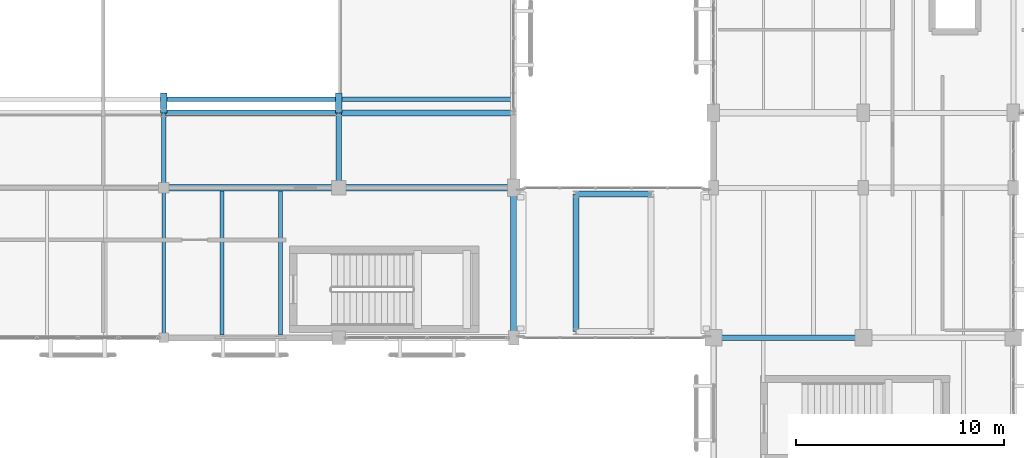
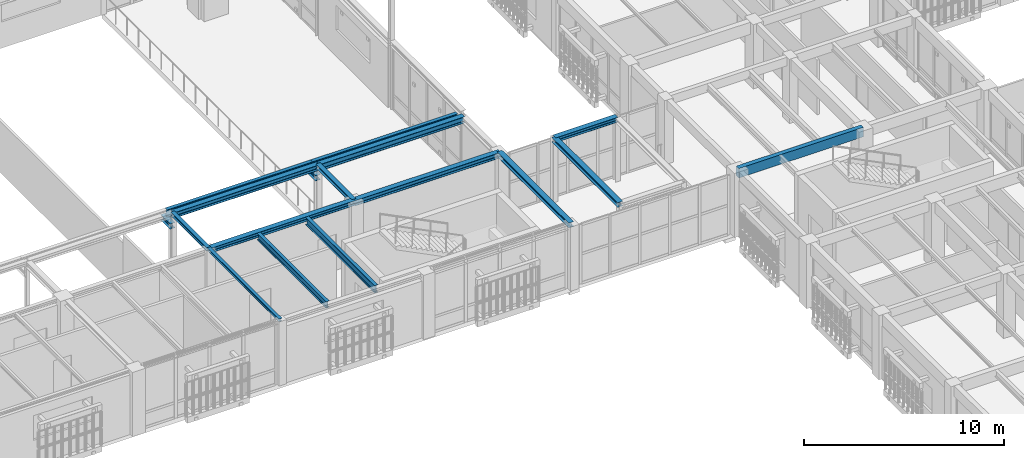
# One storey, part 79 of 170: 17 beams.
"""IFC4 building model written with IfcOpenShell, lengths in metres."""

from ifc_helpers import new_model, si_unit, direction, frame, origin, origin_2d, place, context, subcontext, project, spatial, rectangle, i_section, extrude, material, material_profile, profile_set, type_object, element, save


model = new_model("IFC4")

# Units and contexts
model_context = context("Model", 3, precision=1e-05, world=origin(), true_north=direction((0.0, 1.0)))
body_context = subcontext(model_context, "Body", "Model", "MODEL_VIEW")
ifc_project = project(units=[si_unit("LENGTHUNIT", "METRE"), si_unit("AREAUNIT", "SQUARE_METRE"), si_unit("VOLUMEUNIT", "CUBIC_METRE"), si_unit("PLANEANGLEUNIT", "RADIAN"), si_unit("MASSUNIT", "GRAM", prefix="KILO")], contexts=[model_context])

# Site, building, storey
site_placement = place(None, origin())
site = spatial("IfcSite", under=ifc_project, at=site_placement, CompositionType="ELEMENT")
building_placement = place(site_placement, origin())
building = spatial("IfcBuilding", under=site, at=building_placement, Name="Mazaris Harbour Polytechnic", CompositionType="ELEMENT")
storey_placement = place(building_placement, frame((0.0, 0.0, 5.39990234375)))
storey = spatial("IfcBuildingStorey", under=building, at=storey_placement, Name="L01", CompositionType="ELEMENT", Elevation=5.39990234375)

# Beams
ifc_material_1 = material(Name="Steel S355", Category="steel")
ifc_material_profile_1 = material_profile(ifc_material_1, i_section(OverallWidth=0.2099609375, OverallDepth=0.550048828125, WebThickness=0.010986328125, FlangeThickness=0.01708984375, FilletRadius=0.02392578125, at=origin_2d()), Name="IPE 550")
ifc_profile_set_1 = profile_set([ifc_material_profile_1], Name="Steel S355")
beam_type_1 = type_object("IfcBeamType", Name="Crane Runway IPE550", PredefinedType="USERDEFINED", material=ifc_profile_set_1)
beam_1_placement = place(storey_placement, frame((96.0, 87.050048828125, 3.400146484375), z_axis=(1.0, 0.0, 0.0), x_axis=(0.0, 1.0, 0.0)))
element("IfcBeam", 1, at=beam_1_placement, inside=storey, type_object=beam_type_1, Name="V1 10t Bridge Crane Runway 6", ObjectType="CRANE RUNWAY", PredefinedType="USERDEFINED", context=body_context, shape_type="SweptSolid", body=[
    extrude(i_section(OverallWidth=0.2099609375, OverallDepth=0.550048828125, WebThickness=0.010986328125, FlangeThickness=0.01708984375, FilletRadius=0.02392578125, at=origin_2d()), origin(), (0.0, 0.0, 1.0), 8.39990234375),
])
beam_2_placement = place(storey_placement, frame((104.39990234375, 87.050048828125, 3.400146484375), z_axis=(1.0, 0.0, 0.0), x_axis=(0.0, 1.0, 0.0)))
element("IfcBeam", 2, at=beam_2_placement, inside=storey, type_object=beam_type_1, Name="V1 10t Bridge Crane Runway 7", ObjectType="CRANE RUNWAY", PredefinedType="USERDEFINED", context=body_context, shape_type="SweptSolid", body=[
    extrude(i_section(OverallWidth=0.2099609375, OverallDepth=0.550048828125, WebThickness=0.010986328125, FlangeThickness=0.01708984375, FilletRadius=0.02392578125, at=origin_2d()), origin(), (0.0, 0.0, 1.0), 8.400146484375),
])
ifc_material_2 = material(Name="Glulam GL32h", Category="wood")
ifc_material_profile_2 = material_profile(ifc_material_2, rectangle(XDim=0.260009765625, YDim=0.580078125, at=origin_2d()), Name="RECT260x580")
ifc_profile_set_2 = profile_set([ifc_material_profile_2], Name="Glulam GL32h")
beam_type_2 = type_object("IfcBeamType", Name="Glulam Girder 260x580", PredefinedType="BEAM", material=ifc_profile_set_2)
beam_3_placement = place(storey_placement, frame((122.39990234375, 75.60009765625, 3.630126953125), z_axis=(1.0, 0.0, 0.0), x_axis=(0.0, 1.0, 0.0)))
element("IfcBeam", 3, at=beam_3_placement, inside=storey, type_object=beam_type_2, Name="V5 L01 Girder 2931", PredefinedType="BEAM", context=body_context, shape_type="SweptSolid", body=[
    extrude(rectangle(XDim=0.260009765625, YDim=0.580078125, at=origin_2d()), origin(), (0.0, 0.0, 1.0), 7.2001953125),
])
ifc_material_3 = material(Name="Steel S355", Category="steel")
ifc_material_profile_3 = material_profile(ifc_material_3, i_section(OverallWidth=0.179931640625, OverallDepth=0.1708984375, WebThickness=0.006103515625, FlangeThickness=0.009521484375, FilletRadius=0.014892578125, at=origin_2d()), Name="HEA 180")
ifc_profile_set_3 = profile_set([ifc_material_profile_3], Name="Steel S355")
beam_type_3 = type_object("IfcBeamType", Name="Steel Beam HEA180", PredefinedType="LINTEL", material=ifc_profile_set_3)
beam_4_placement = place(storey_placement, frame((96.0, 75.60009765625, 3.834716796875), z_axis=(0.0, 1.0, 0.0), x_axis=(-1.0, 0.0, 0.0)))
element("IfcBeam", 4, at=beam_4_placement, inside=storey, type_object=beam_type_3, Name="V1 L01 Tie Girder 264", PredefinedType="LINTEL", context=body_context, shape_type="SweptSolid", body=[
    extrude(i_section(OverallWidth=0.179931640625, OverallDepth=0.1708984375, WebThickness=0.006103515625, FlangeThickness=0.009521484375, FilletRadius=0.014892578125, at=origin_2d()), origin(), (0.0, 0.0, 1.0), 7.199951171875),
])
ifc_material_4 = material(Name="Steel S355", Category="steel")
ifc_material_profile_4 = material_profile(ifc_material_4, i_section(OverallWidth=0.219970703125, OverallDepth=0.2099609375, WebThickness=0.007080078125, FlangeThickness=0.010986328125, FilletRadius=0.01806640625, at=origin_2d()), Name="HEA 220")
ifc_profile_set_4 = profile_set([ifc_material_profile_4], Name="Steel S355")
beam_type_4 = type_object("IfcBeamType", Name="Steel Beam HEA220", PredefinedType="LINTEL", material=ifc_profile_set_4)
beam_5_placement = place(storey_placement, frame((96.0, 82.800048828125, 3.815185546875), z_axis=(0.0, 1.0, 0.0), x_axis=(-1.0, 0.0, 0.0)))
element("IfcBeam", 5, at=beam_5_placement, inside=storey, type_object=beam_type_4, Name="V1 L01 Tie Girder 265", PredefinedType="LINTEL", context=body_context, shape_type="SweptSolid", body=[
    extrude(i_section(OverallWidth=0.219970703125, OverallDepth=0.2099609375, WebThickness=0.007080078125, FlangeThickness=0.010986328125, FilletRadius=0.01806640625, at=origin_2d()), origin(), (0.0, 0.0, 1.0), 3.599853515625),
])
ifc_material_5 = material(Name="Steel S355", Category="steel")
ifc_material_profile_5 = material_profile(ifc_material_5, i_section(OverallWidth=0.260009765625, OverallDepth=0.25, WebThickness=0.007568359375, FlangeThickness=0.012451171875, FilletRadius=0.02392578125, at=origin_2d()), Name="HEA 260")
ifc_profile_set_5 = profile_set([ifc_material_profile_5], Name="Steel S355")
beam_type_5 = type_object("IfcBeamType", Name="Steel Beam HEA260", PredefinedType="SPANDREL", material=ifc_profile_set_5)
beam_6_placement = place(storey_placement, frame((104.39990234375, 82.800048828125, 3.795166015625), z_axis=(0.0, 1.0, 0.0), x_axis=(-1.0, 0.0, 0.0)))
element("IfcBeam", 6, at=beam_6_placement, inside=storey, type_object=beam_type_5, Name="V1 L01 Tie Girder 266", PredefinedType="SPANDREL", context=body_context, shape_type="SweptSolid", body=[
    extrude(i_section(OverallWidth=0.260009765625, OverallDepth=0.25, WebThickness=0.007568359375, FlangeThickness=0.012451171875, FilletRadius=0.02392578125, at=origin_2d()), origin(), (0.0, 0.0, 1.0), 3.599853515625),
])
ifc_material_6 = material(Name="Steel S355", Category="steel")
ifc_material_profile_6 = material_profile(ifc_material_6, i_section(OverallWidth=0.300048828125, OverallDepth=0.2900390625, WebThickness=0.008544921875, FlangeThickness=0.013916015625, FilletRadius=0.027099609375, at=origin_2d()), Name="HEA 300")
ifc_profile_set_6 = profile_set([ifc_material_profile_6], Name="Steel S355")
beam_type_6 = type_object("IfcBeamType", Name="Steel Beam HEA300", PredefinedType="SPANDREL", material=ifc_profile_set_6)
beam_7_placement = place(storey_placement, frame((96.0, 82.800048828125, 3.775146484375), z_axis=(1.0, 0.0, 0.0), x_axis=(0.0, 1.0, 0.0)))
element("IfcBeam", 7, at=beam_7_placement, inside=storey, type_object=beam_type_6, Name="V1 L01 Girder 243", PredefinedType="SPANDREL", context=body_context, shape_type="SweptSolid", body=[
    extrude(i_section(OverallWidth=0.300048828125, OverallDepth=0.2900390625, WebThickness=0.008544921875, FlangeThickness=0.013916015625, FilletRadius=0.027099609375, at=origin_2d()), origin(), (0.0, 0.0, 1.0), 8.39990234375),
])
ifc_material_7 = material(Name="Steel S355", Category="steel")
ifc_material_profile_7 = material_profile(ifc_material_7, i_section(OverallWidth=0.300048828125, OverallDepth=0.2900390625, WebThickness=0.008544921875, FlangeThickness=0.013916015625, FilletRadius=0.027099609375, at=origin_2d()), Name="HEA 300")
ifc_profile_set_7 = profile_set([ifc_material_profile_7], Name="Steel S355")
beam_type_7 = type_object("IfcBeamType", Name="Steel Beam HEA300 Exterior", PredefinedType="SPANDREL", material=ifc_profile_set_7)
beam_8_placement = place(storey_placement, frame((112.800048828125, 75.60009765625, 3.775146484375), z_axis=(0.0, 1.0, 0.0), x_axis=(-1.0, 0.0, 0.0)))
element("IfcBeam", 8, at=beam_8_placement, inside=storey, type_object=beam_type_7, Name="V1 L01 Tie Girder 267", PredefinedType="SPANDREL", context=body_context, shape_type="SweptSolid", body=[
    extrude(i_section(OverallWidth=0.300048828125, OverallDepth=0.2900390625, WebThickness=0.008544921875, FlangeThickness=0.013916015625, FilletRadius=0.027099609375, at=origin_2d()), origin(), (0.0, 0.0, 1.0), 7.199951171875),
])
beam_9_placement = place(storey_placement, frame((115.800048828125, 75.89990234375, 3.7900390625), z_axis=(0.0, 1.0, 0.0), x_axis=(-1.0, 0.0, 0.0)))
element("IfcBeam", 9, at=beam_9_placement, inside=storey, type_object=beam_type_7, Name="PB-E2 L01 Bridge Beam 3464", PredefinedType="SPANDREL", context=body_context, shape_type="SweptSolid", body=[
    extrude(i_section(OverallWidth=0.300048828125, OverallDepth=0.2900390625, WebThickness=0.008544921875, FlangeThickness=0.013916015625, FilletRadius=0.027099609375, at=origin_2d()), origin(), (0.0, 0.0, 1.0), 6.60009765625),
])
beam_10_placement = place(storey_placement, frame((115.800048828125, 82.5, 3.7900390625), z_axis=(1.0, 0.0, 0.0), x_axis=(0.0, 1.0, 0.0)))
element("IfcBeam", 10, at=beam_10_placement, inside=storey, type_object=beam_type_7, Name="PB-E2 L01 Bridge Beam 3466", PredefinedType="SPANDREL", context=body_context, shape_type="SweptSolid", body=[
    extrude(i_section(OverallWidth=0.300048828125, OverallDepth=0.2900390625, WebThickness=0.008544921875, FlangeThickness=0.013916015625, FilletRadius=0.027099609375, at=origin_2d()), origin(), (0.0, 0.0, 1.0), 3.599853515625),
])
ifc_material_8 = material(Name="Steel S355", Category="steel")
ifc_material_profile_8 = material_profile(ifc_material_8, i_section(OverallWidth=0.300048828125, OverallDepth=0.330078125, WebThickness=0.009521484375, FlangeThickness=0.0166015625, FilletRadius=0.027099609375, at=origin_2d()), Name="HEA 340")
ifc_profile_set_8 = profile_set([ifc_material_profile_8], Name="Steel S355")
beam_type_8 = type_object("IfcBeamType", Name="Steel Beam HEA340", PredefinedType="BEAM", material=ifc_profile_set_8)
beam_11_placement = place(storey_placement, frame((104.39990234375, 82.800048828125, 3.755126953125), z_axis=(1.0, 0.0, 0.0), x_axis=(0.0, 1.0, 0.0)))
element("IfcBeam", 11, at=beam_11_placement, inside=storey, type_object=beam_type_8, Name="V1 L01 Girder 244", PredefinedType="BEAM", context=body_context, shape_type="SweptSolid", body=[
    extrude(i_section(OverallWidth=0.300048828125, OverallDepth=0.330078125, WebThickness=0.009521484375, FlangeThickness=0.0166015625, FilletRadius=0.027099609375, at=origin_2d()), origin(), (0.0, 0.0, 1.0), 8.400146484375),
])
for number, where, z_axis, x_axis, name in (
    (12, (96.0, 86.39990234375, 3.0400390625), (0.0, 1.0, 0.0), (-1.0, 0.0, 0.0), "V1 Crane Corbel Bracket 3560"),
    (13, (104.39990234375, 86.39990234375, 3.0400390625), (0.0, 1.0, 0.0), (-1.0, 0.0, 0.0), "V1 Crane Corbel Bracket 3561"),
):
    element("IfcBeam", number, at=place(storey_placement, frame(where, z_axis=z_axis, x_axis=x_axis)), inside=storey, type_object=beam_type_8, Name=name, PredefinedType="BEAM", context=body_context, shape_type="SweptSolid", body=[
        extrude(i_section(OverallWidth=0.300048828125, OverallDepth=0.330078125, WebThickness=0.009521484375, FlangeThickness=0.0166015625, FilletRadius=0.027099609375, at=origin_2d()), origin(), (0.0, 0.0, 1.0), 0.9501953125),
    ])
ifc_material_9 = material(Name="Steel S355", Category="steel")
ifc_material_profile_9 = material_profile(ifc_material_9, i_section(OverallWidth=0.300048828125, OverallDepth=0.330078125, WebThickness=0.009521484375, FlangeThickness=0.0166015625, FilletRadius=0.027099609375, at=origin_2d()), Name="HEA 340")
ifc_profile_set_9 = profile_set([ifc_material_profile_9], Name="Steel S355")
beam_type_9 = type_object("IfcBeamType", Name="Steel Beam HEA340 Exterior", PredefinedType="BEAM", material=ifc_profile_set_9)
beam_12_placement = place(storey_placement, frame((96.0, 86.39990234375, 3.755126953125), z_axis=(1.0, 0.0, 0.0), x_axis=(0.0, 1.0, 0.0)))
element("IfcBeam", 14, at=beam_12_placement, inside=storey, type_object=beam_type_9, Name="V1 L01 Girder 250", PredefinedType="BEAM", context=body_context, shape_type="SweptSolid", body=[
    extrude(i_section(OverallWidth=0.300048828125, OverallDepth=0.330078125, WebThickness=0.009521484375, FlangeThickness=0.0166015625, FilletRadius=0.027099609375, at=origin_2d()), origin(), (0.0, 0.0, 1.0), 8.39990234375),
])
ifc_material_10 = material(Name="Steel S355", Category="steel")
ifc_material_profile_10 = material_profile(ifc_material_10, i_section(OverallWidth=0.300048828125, OverallDepth=0.389892578125, WebThickness=0.010986328125, FlangeThickness=0.01904296875, FilletRadius=0.027099609375, at=origin_2d()), Name="HEA 400")
ifc_profile_set_10 = profile_set([ifc_material_profile_10], Name="Steel S355")
beam_type_10 = type_object("IfcBeamType", Name="Steel Beam HEA400 Exterior", PredefinedType="BEAM", material=ifc_profile_set_10)
beam_13_placement = place(storey_placement, frame((104.39990234375, 86.39990234375, 3.72509765625), z_axis=(1.0, 0.0, 0.0), x_axis=(0.0, 1.0, 0.0)))
element("IfcBeam", 15, at=beam_13_placement, inside=storey, type_object=beam_type_10, Name="V1 L01 Girder 251", PredefinedType="BEAM", context=body_context, shape_type="SweptSolid", body=[
    extrude(i_section(OverallWidth=0.300048828125, OverallDepth=0.389892578125, WebThickness=0.010986328125, FlangeThickness=0.01904296875, FilletRadius=0.027099609375, at=origin_2d()), origin(), (0.0, 0.0, 1.0), 8.400146484375),
])
ifc_material_11 = material(Name="Steel S355", Category="steel")
ifc_material_profile_11 = material_profile(ifc_material_11, i_section(OverallWidth=0.179931640625, OverallDepth=0.39990234375, WebThickness=0.008544921875, FlangeThickness=0.013427734375, FilletRadius=0.02099609375, at=origin_2d()), Name="IPE 400")
ifc_profile_set_11 = profile_set([ifc_material_profile_11], Name="Steel S355")
beam_type_11 = type_object("IfcBeamType", Name="Steel Joist IPE400", PredefinedType="JOIST", material=ifc_profile_set_11)
beam_14_placement = place(storey_placement, frame((98.800048828125, 75.72998046875, 3.72021484375), z_axis=(0.0, 1.0, 0.0), x_axis=(-1.0, 0.0, 0.0)))
element("IfcBeam", 16, at=beam_14_placement, inside=storey, type_object=beam_type_11, Name="V1 L01 Floor Joist 278", PredefinedType="JOIST", context=body_context, shape_type="SweptSolid", body=[
    extrude(i_section(OverallWidth=0.179931640625, OverallDepth=0.39990234375, WebThickness=0.008544921875, FlangeThickness=0.013427734375, FilletRadius=0.02099609375, at=origin_2d()), origin(), (0.0, 0.0, 1.0), 6.919921875),
])
ifc_material_12 = material(Name="Steel S355", Category="steel")
ifc_material_profile_12 = material_profile(ifc_material_12, i_section(OverallWidth=0.18994140625, OverallDepth=0.449951171875, WebThickness=0.009521484375, FlangeThickness=0.0146484375, FilletRadius=0.02099609375, at=origin_2d()), Name="IPE 450")
ifc_profile_set_12 = profile_set([ifc_material_profile_12], Name="Steel S355")
beam_type_12 = type_object("IfcBeamType", Name="Steel Joist IPE450", PredefinedType="JOIST", material=ifc_profile_set_12)
beam_15_placement = place(storey_placement, frame((101.60009765625, 75.72998046875, 3.695068359375), z_axis=(0.0, 1.0, 0.0), x_axis=(-1.0, 0.0, 0.0)))
element("IfcBeam", 17, at=beam_15_placement, inside=storey, type_object=beam_type_12, Name="V1 L01 Floor Joist 279", PredefinedType="JOIST", context=body_context, shape_type="SweptSolid", body=[
    extrude(i_section(OverallWidth=0.18994140625, OverallDepth=0.449951171875, WebThickness=0.009521484375, FlangeThickness=0.0146484375, FilletRadius=0.02099609375, at=origin_2d()), origin(), (0.0, 0.0, 1.0), 6.919921875),
])

save(model, "model.ifc")
